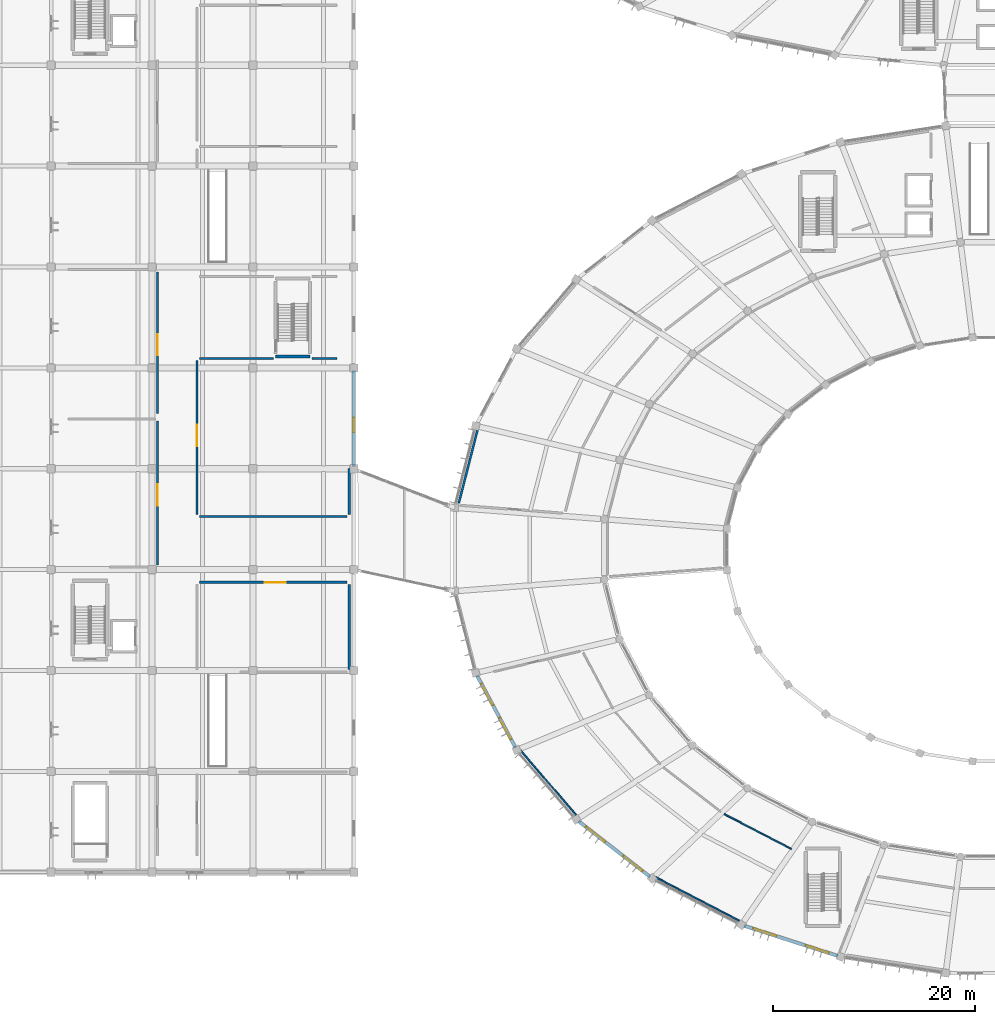
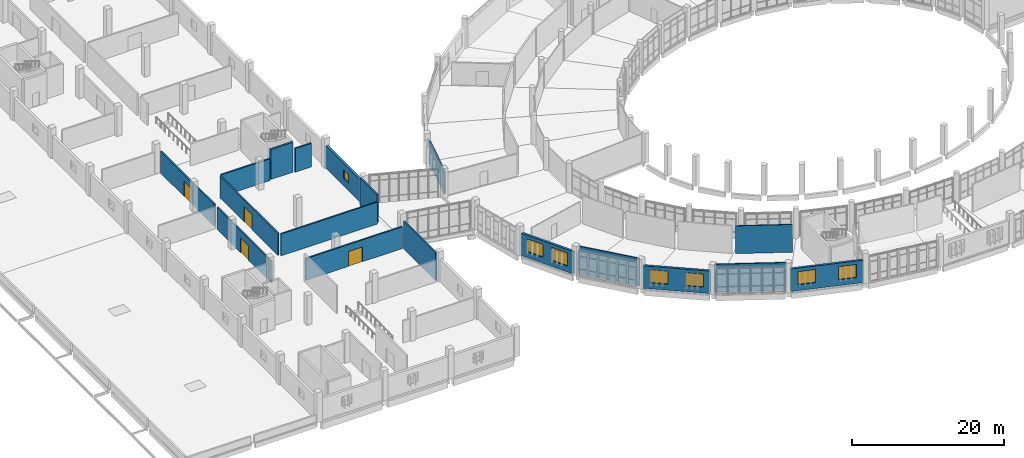
# One storey, part 115 of 179: 18 walls, 7 windows, 4 doors, 11 openings.
"""IFC4 building model written with IfcOpenShell, lengths in metres."""

from ifc_helpers import new_model, si_unit, direction, frame, frame_2d, origin, place, context, subcontext, project, spatial, rectangle, extrude, material, layer, layer_set, type_object, element, fill, save


model = new_model("IFC4")

# Units and contexts
model_context = context("Model", 3, precision=1e-05, world=origin(), true_north=direction((0.0, 1.0)))
body_context = subcontext(model_context, "Body", "Model", "MODEL_VIEW")
ifc_project = project(units=[si_unit("LENGTHUNIT", "METRE"), si_unit("AREAUNIT", "SQUARE_METRE"), si_unit("VOLUMEUNIT", "CUBIC_METRE"), si_unit("PLANEANGLEUNIT", "RADIAN"), si_unit("MASSUNIT", "GRAM", prefix="KILO")], contexts=[model_context])

# Site, building, storey
site_placement = place(None, origin())
site = spatial("IfcSite", under=ifc_project, at=site_placement, CompositionType="ELEMENT")
building_placement = place(site_placement, origin())
building = spatial("IfcBuilding", under=site, at=building_placement, Name="Corvandel Quay Wholesale Market", CompositionType="ELEMENT")
storey_placement = place(building_placement, frame((0.0, 0.0, 6.0)))
storey = spatial("IfcBuildingStorey", under=building, at=storey_placement, Name="L01", CompositionType="ELEMENT", Elevation=6.0)

# Walls
ifc_material_1 = material(Name="Gypsum-clad steel stud framing", Category="steel")
ifc_layer_1 = layer(ifc_material_1, 0.2099609375)
ifc_layer_set_1 = layer_set([ifc_layer_1], Name="Gypsum-clad steel stud framing")
wall_type_1 = type_object("IfcWallType", Name="Corridor Rated Partition PT02 210", PredefinedType="PARTITIONING", material=ifc_layer_set_1)
wall_1_placement = place(storey_placement, frame((60.408447265625, 46.60400390625, 0.0), z_axis=(0.0, 0.0, 1.0), x_axis=(0.247762128405, 0.968820895588, 0.0)))
element("IfcWall", 1, at=wall_1_placement, inside=storey, type_object=wall_type_1, Name="Interior Wall IW-0460", PredefinedType="PARTITIONING", context=body_context, shape_type="SweptSolid", body=[
    extrude(rectangle(XDim=7.567626953125, YDim=0.2099609375, at=frame_2d((3.78369140625, 0.0))), origin(), (0.0, 0.0, 1.0), 3.610107421875),
])
ifc_material_2 = material(Name="Double-layer acoustic gypsum stud partition")
ifc_layer_2 = layer(ifc_material_2, 0.139892578125)
ifc_layer_set_2 = layer_set([ifc_layer_2], Name="Double-layer acoustic gypsum stud partition")
wall_type_2 = type_object("IfcWallType", Name="Office Acoustic Partition PT07 140", PredefinedType="PARTITIONING", material=ifc_layer_set_2)
wall_2_placement = place(storey_placement, frame((88.333740234375, 5.140380859375, 0.0), z_axis=(0.0, 0.0, 1.0), x_axis=(-0.887294814005, 0.461202681084, 0.0)))
element("IfcWall", 2, at=wall_2_placement, inside=storey, type_object=wall_type_2, Name="Interior Wall IW-0466", PredefinedType="PARTITIONING", context=body_context, shape_type="SweptSolid", body=[
    extrude(rectangle(XDim=9.4775390625, YDim=0.139892578125, at=frame_2d((4.73876953125, 0.0))), origin(), (0.0, 0.0, 1.0), 4.4599609375),
])
wall_3_placement = place(storey_placement, frame((72.105712890625, 15.597900390625, 0.0), z_axis=(0.0, 0.0, 1.0), x_axis=(-0.651588761732, 0.758572399699, 0.0)))
element("IfcWall", 3, at=wall_3_placement, inside=storey, type_object=wall_type_2, Name="Interior Wall IW-0467", PredefinedType="PARTITIONING", context=body_context, shape_type="SweptSolid", body=[
    extrude(rectangle(XDim=8.569091796875, YDim=0.139892578125, at=frame_2d((4.28466796875, 0.0))), origin(), (0.0, 0.0, 1.0), 4.4599609375),
])
wall_4_placement = place(storey_placement, frame((86.72314453125, 15.7666015625, 0.0), z_axis=(0.0, 0.0, 1.0), x_axis=(0.887262118728, -0.461265577158, 0.0)))
element("IfcWall", 4, at=wall_4_placement, inside=storey, type_object=wall_type_2, Name="Interior Wall IW-0472", PredefinedType="PARTITIONING", context=body_context, shape_type="SweptSolid", body=[
    extrude(rectangle(XDim=7.496826171875, YDim=0.139892578125, at=frame_2d((3.74853515625, 0.0))), origin(), (0.0, 0.0, 1.0), 4.4599609375),
])

# Wall, opening, window
ifc_material_3 = material(Name="Insulated precast concrete C45/55", Category="concrete")
ifc_layer_3 = layer(ifc_material_3, 0.360107421875)
ifc_layer_set_3 = layer_set([ifc_layer_3], Name="Insulated precast concrete C45/55")
wall_type_3 = type_object("IfcWallType", Name="Ripening Gas-Tight Envelope Wall EW04 360", PredefinedType="SOLIDWALL", material=ifc_layer_set_3)
wall_5_placement = place(storey_placement, frame((50.0, 50.239990234375, 0.0), z_axis=(0.0, 0.0, 1.0), x_axis=(0.0, 1.0, 0.0)))
wall_5 = element("IfcWall", 5, at=wall_5_placement, inside=storey, type_object=wall_type_3, Name="Exterior Wall EW-0252", PredefinedType="SOLIDWALL", context=body_context, shape_type="SweptSolid", body=[
    extrude(rectangle(XDim=9.52001953125, YDim=0.360107421875, at=frame_2d((4.760009765625, 0.0))), origin(), (0.0, 0.0, 1.0), 3.610107421875),
])
opening_1_placement = place(wall_5_placement, frame((3.39990234375, 0.0, 1.199951171875)))
opening_1 = element("IfcOpeningElement", 6, at=opening_1_placement, cuts=wall_5, Name="Opening L01-W059", PredefinedType="OPENING", context=body_context, shape_type="SweptSolid", body=[
    extrude(rectangle(XDim=1.39990234375, YDim=1.35009765625, at=frame_2d((0.699951171875, 0.675048828125))), frame((0.0, 0.18994140625, 0.0), z_axis=(0.0, -1.0, 0.0), x_axis=(1.0, 0.0, 0.0)), (0.0, 0.0, 1.0), 0.380126953125),
])
ifc_material_4 = material(Name="Thermally broken bronze anodised aluminium and solar-control low-E double glazing", Category="aluminium")
window_type_1 = type_object("IfcWindowType", Name="Ripening Control Vision Window WN15 1400x1350", PartitioningType="SINGLE_PANEL", PredefinedType="WINDOW", material=ifc_material_4)
window_1_placement = place(opening_1_placement, origin())
window_1 = element("IfcWindow", 7, at=window_1_placement, inside=storey, type_object=window_type_1, Name="Window L01-W059", OverallHeight=1.35009765625, OverallWidth=1.39990234375, PartitioningType="SINGLE_PANEL", PredefinedType="WINDOW", context=body_context, shape_type="SweptSolid", body=[
    extrude(rectangle(XDim=1.39990234375, YDim=1.35009765625, at=frame_2d((0.699951171875, 0.675048828125))), frame((0.0, 0.030029296875, 0.0), z_axis=(0.0, -1.0, 0.0), x_axis=(1.0, 0.0, 0.0)), (0.0, 0.0, 1.0), 0.06005859375),
])
fill(opening_1, window_1)

# Wall, opening, door
ifc_material_5 = material(Name="Gas-tight stainless insulated panel")
ifc_layer_4 = layer(ifc_material_5, 0.219970703125)
ifc_layer_set_4 = layer_set([ifc_layer_4], Name="Gas-tight stainless insulated panel")
wall_type_4 = type_object("IfcWallType", Name="Ripening Gas-Tight Partition PT04 220", PredefinedType="PARTITIONING", material=ifc_layer_set_4)
wall_6_placement = place(storey_placement, frame((30.5400390625, 54.719970703125, 0.0), z_axis=(0.0, 0.0, 1.0), x_axis=(0.0, -1.0, 0.0)))
wall_6 = element("IfcWall", 8, at=wall_6_placement, inside=storey, type_object=wall_type_4, Name="Interior Wall IW-0798", PredefinedType="PARTITIONING", context=body_context, shape_type="SweptSolid", body=[
    extrude(rectangle(XDim=14.239990234375, YDim=0.219970703125, at=frame_2d((7.1201171875, 0.0))), origin(), (0.0, 0.0, 1.0), 3.510009765625),
])
opening_2_placement = place(wall_6_placement, frame((6.27001953125, 0.0, 0.0)))
opening_2 = element("IfcOpeningElement", 9, at=opening_2_placement, cuts=wall_6, Name="Opening L01-D053", PredefinedType="OPENING", context=body_context, shape_type="SweptSolid", body=[
    extrude(rectangle(XDim=2.10009765625, YDim=2.39990234375, at=frame_2d((1.050048828125, 1.199951171875))), frame((0.0, 0.119873046875, 0.0), z_axis=(0.0, -1.0, 0.0), x_axis=(1.0, 0.0, 0.0)), (0.0, 0.0, 1.0), 0.239990234375),
])
ifc_material_6 = material(Name="Gas-tight stainless insulated leaf")
door_type = type_object("IfcDoorType", Name="Ripening Gas-Tight Door ID07 2100x2400", OperationType="DOUBLE_DOOR_SLIDING", PredefinedType="DOOR", material=ifc_material_6)
door_1_placement = place(opening_2_placement, origin())
door_1 = element("IfcDoor", 10, at=door_1_placement, inside=storey, type_object=door_type, Name="Pressurized Fruit Ripening Room 02 Door", OperationType="DOUBLE_DOOR_SLIDING", OverallHeight=2.39990234375, OverallWidth=2.10009765625, PredefinedType="DOOR", context=body_context, shape_type="SweptSolid", body=[
    extrude(rectangle(XDim=2.10009765625, YDim=2.39990234375, at=frame_2d((1.050048828125, 1.199951171875))), frame((0.0, 0.02490234375, 0.0), z_axis=(0.0, -1.0, 0.0), x_axis=(1.0, 0.0, 0.0)), (0.0, 0.0, 1.0), 0.050048828125),
])
fill(opening_2, door_1)

wall_7_placement = place(storey_placement, frame((30.5400390625, 69.52001953125, 0.0), z_axis=(0.0, 0.0, 1.0), x_axis=(0.0, -1.0, 0.0)))
wall_7 = element("IfcWall", 11, at=wall_7_placement, inside=storey, type_object=wall_type_4, Name="Interior Wall IW-0801", PredefinedType="PARTITIONING", context=body_context, shape_type="SweptSolid", body=[
    extrude(rectangle(XDim=14.0400390625, YDim=0.219970703125, at=frame_2d((7.02001953125, 0.0))), origin(), (0.0, 0.0, 1.0), 3.510009765625),
])
opening_3_placement = place(wall_7_placement, frame((6.169921875, 0.0, 0.0)))
opening_3 = element("IfcOpeningElement", 12, at=opening_3_placement, cuts=wall_7, Name="Opening L01-D054", PredefinedType="OPENING", context=body_context, shape_type="SweptSolid", body=[
    extrude(rectangle(XDim=2.10009765625, YDim=2.39990234375, at=frame_2d((1.050048828125, 1.199951171875))), frame((0.0, 0.119873046875, 0.0), z_axis=(0.0, -1.0, 0.0), x_axis=(1.0, 0.0, 0.0)), (0.0, 0.0, 1.0), 0.239990234375),
])
door_2_placement = place(opening_3_placement, origin())
door_2 = element("IfcDoor", 13, at=door_2_placement, inside=storey, type_object=door_type, Name="Pressurized Fruit Ripening Room 03 Door", OperationType="DOUBLE_DOOR_SLIDING", OverallHeight=2.39990234375, OverallWidth=2.10009765625, PredefinedType="DOOR", context=body_context, shape_type="SweptSolid", body=[
    extrude(rectangle(XDim=2.10009765625, YDim=2.39990234375, at=frame_2d((1.050048828125, 1.199951171875))), frame((0.0, 0.02490234375, 0.0), z_axis=(0.0, -1.0, 0.0), x_axis=(1.0, 0.0, 0.0)), (0.0, 0.0, 1.0), 0.050048828125),
])
fill(opening_3, door_2)

wall_8_placement = place(storey_placement, frame((34.679931640625, 38.739990234375, 0.0), z_axis=(0.0, 0.0, 1.0), x_axis=(1.0, 0.0, 0.0)))
wall_8 = element("IfcWall", 14, at=wall_8_placement, inside=storey, type_object=wall_type_4, Name="Interior Wall IW-0812", PredefinedType="PARTITIONING", context=body_context, shape_type="SweptSolid", body=[
    extrude(rectangle(XDim=14.64013671875, YDim=0.219970703125, at=frame_2d((7.320068359375, 0.0))), origin(), (0.0, 0.0, 1.0), 3.510009765625),
])
opening_4_placement = place(wall_8_placement, frame((6.469970703125, 0.0, 0.0)))
opening_4 = element("IfcOpeningElement", 15, at=opening_4_placement, cuts=wall_8, Name="Opening L01-D059", PredefinedType="OPENING", context=body_context, shape_type="SweptSolid", body=[
    extrude(rectangle(XDim=2.10009765625, YDim=2.39990234375, at=frame_2d((1.050048828125, 1.199951171875))), frame((0.0, 0.119873046875, 0.0), z_axis=(0.0, -1.0, 0.0), x_axis=(1.0, 0.0, 0.0)), (0.0, 0.0, 1.0), 0.239990234375),
])
door_3_placement = place(opening_4_placement, origin())
door_3 = element("IfcDoor", 16, at=door_3_placement, inside=storey, type_object=door_type, Name="Pressurized Fruit Ripening Room 08 Door", OperationType="DOUBLE_DOOR_SLIDING", OverallHeight=2.39990234375, OverallWidth=2.10009765625, PredefinedType="DOOR", context=body_context, shape_type="SweptSolid", body=[
    extrude(rectangle(XDim=2.10009765625, YDim=2.39990234375, at=frame_2d((1.050048828125, 1.199951171875))), frame((0.0, 0.02490234375, 0.0), z_axis=(0.0, -1.0, 0.0), x_axis=(1.0, 0.0, 0.0)), (0.0, 0.0, 1.0), 0.050048828125),
])
fill(opening_4, door_3)

# Wall
wall_9_placement = place(storey_placement, frame((49.5400390625, 38.52001953125, 0.0), z_axis=(0.0, 0.0, 1.0), x_axis=(0.0, -1.0, 0.0)))
element("IfcWall", 17, at=wall_9_placement, inside=storey, type_object=wall_type_4, Name="Interior Wall IW-0813", PredefinedType="PARTITIONING", context=body_context, shape_type="SweptSolid", body=[
    extrude(rectangle(XDim=8.43994140625, YDim=0.219970703125, at=frame_2d((4.219970703125, 0.0))), origin(), (0.0, 0.0, 1.0), 4.4599609375),
])

# Wall, opening, door
wall_10_placement = place(storey_placement, frame((34.4599609375, 45.47998046875, 0.0), z_axis=(0.0, 0.0, 1.0), x_axis=(0.0, 1.0, 0.0)))
wall_10 = element("IfcWall", 18, at=wall_10_placement, inside=storey, type_object=wall_type_4, Name="Interior Wall IW-0815", PredefinedType="PARTITIONING", context=body_context, shape_type="SweptSolid", body=[
    extrude(rectangle(XDim=15.239990234375, YDim=0.219970703125, at=frame_2d((7.6201171875, 0.0))), origin(), (0.0, 0.0, 1.0), 3.510009765625),
])
opening_5_placement = place(wall_10_placement, frame((6.77001953125, 0.0, 0.0)))
opening_5 = element("IfcOpeningElement", 19, at=opening_5_placement, cuts=wall_10, Name="Opening L01-D060", PredefinedType="OPENING", context=body_context, shape_type="SweptSolid", body=[
    extrude(rectangle(XDim=2.10009765625, YDim=2.39990234375, at=frame_2d((1.050048828125, 1.199951171875))), frame((0.0, 0.119873046875, 0.0), z_axis=(0.0, -1.0, 0.0), x_axis=(1.0, 0.0, 0.0)), (0.0, 0.0, 1.0), 0.239990234375),
])
door_4_placement = place(opening_5_placement, origin())
door_4 = element("IfcDoor", 20, at=door_4_placement, inside=storey, type_object=door_type, Name="Pressurized Fruit Ripening Room 09 Door", OperationType="DOUBLE_DOOR_SLIDING", OverallHeight=2.39990234375, OverallWidth=2.10009765625, PredefinedType="DOOR", context=body_context, shape_type="SweptSolid", body=[
    extrude(rectangle(XDim=2.10009765625, YDim=2.39990234375, at=frame_2d((1.050048828125, 1.199951171875))), frame((0.0, 0.02490234375, 0.0), z_axis=(0.0, -1.0, 0.0), x_axis=(1.0, 0.0, 0.0)), (0.0, 0.0, 1.0), 0.050048828125),
])
fill(opening_5, door_4)

# Walls
wall_11_placement = place(storey_placement, frame((34.679931640625, 60.93994140625, 0.0), z_axis=(0.0, 0.0, 1.0), x_axis=(1.0, 0.0, 0.0)))
element("IfcWall", 21, at=wall_11_placement, inside=storey, type_object=wall_type_4, Name="Interior Wall IW-0816", PredefinedType="PARTITIONING", context=body_context, shape_type="SweptSolid", body=[
    extrude(rectangle(XDim=7.35009765625, YDim=0.219970703125, at=frame_2d((3.675048828125, 0.0))), origin(), (0.0, 0.0, 1.0), 3.510009765625),
])
wall_12_placement = place(storey_placement, frame((45.8701171875, 60.93994140625, 0.0), z_axis=(0.0, 0.0, 1.0), x_axis=(1.0, 0.0, 0.0)))
element("IfcWall", 22, at=wall_12_placement, inside=storey, type_object=wall_type_4, Name="Interior Wall IW-0817", PredefinedType="PARTITIONING", context=body_context, shape_type="SweptSolid", body=[
    extrude(rectangle(XDim=2.4599609375, YDim=0.219970703125, at=frame_2d((1.22998046875, 0.0))), origin(), (0.0, 0.0, 1.0), 3.81005859375),
])
wall_13_placement = place(storey_placement, frame((49.5400390625, 50.02001953125, 0.0), z_axis=(0.0, 0.0, 1.0), x_axis=(0.0, -1.0, 0.0)))
element("IfcWall", 23, at=wall_13_placement, inside=storey, type_object=wall_type_4, Name="Interior Wall IW-0818", PredefinedType="PARTITIONING", context=body_context, shape_type="SweptSolid", body=[
    extrude(rectangle(XDim=4.5400390625, YDim=0.219970703125, at=frame_2d((2.27001953125, 0.0))), origin(), (0.0, 0.0, 1.0), 4.4599609375),
])
wall_14_placement = place(storey_placement, frame((49.320068359375, 45.260009765625, 0.0), z_axis=(0.0, 0.0, 1.0), x_axis=(-1.0, 0.0, 0.0)))
element("IfcWall", 24, at=wall_14_placement, inside=storey, type_object=wall_type_4, Name="Interior Wall IW-0819", PredefinedType="PARTITIONING", context=body_context, shape_type="SweptSolid", body=[
    extrude(rectangle(XDim=14.64013671875, YDim=0.219970703125, at=frame_2d((7.320068359375, 0.0))), origin(), (0.0, 0.0, 1.0), 3.510009765625),
])

# Wall, openings, windows
ifc_material_7 = material(Name="Buff-pigmented precast concrete C45/55", Category="concrete")
ifc_layer_5 = layer(ifc_material_7, 0.320068359375)
ifc_layer_set_5 = layer_set([ifc_layer_5], Name="Buff-pigmented precast concrete C45/55")
wall_type_5 = type_object("IfcWallType", Name="Sandstone Buff Precast Wall EW02 320", PredefinedType="SOLIDWALL", material=ifc_layer_set_5)
wall_15_placement = place(storey_placement, frame((62.201904296875, 29.5107421875, 0.0), z_axis=(0.0, 0.0, 1.0), x_axis=(0.47010905891, -0.882608334841, 0.0)))
wall_15 = element("IfcWall", 25, at=wall_15_placement, inside=storey, type_object=wall_type_5, Name="Exterior Wall EW-0048", PredefinedType="SOLIDWALL", context=body_context, shape_type="SweptSolid", body=[
    extrude(rectangle(XDim=8.11962890625, YDim=0.320068359375, at=frame_2d((4.059814453125, 0.0))), origin(), (0.0, 0.0, 1.0), 3.610107421875),
])
opening_6_placement = place(wall_15_placement, frame((0.949951171875, 0.0, 0.949951171875)))
opening_6 = element("IfcOpeningElement", 26, at=opening_6_placement, cuts=wall_15, Name="Opening L01-W013", PredefinedType="OPENING", context=body_context, shape_type="SweptSolid", body=[
    extrude(rectangle(XDim=2.39990234375, YDim=2.10009765625, at=frame_2d((1.199951171875, 1.050048828125))), frame((0.0, 0.169921875, 0.0), z_axis=(0.0, -1.0, 0.0), x_axis=(1.0, 0.0, 0.0)), (0.0, 0.0, 1.0), 0.340087890625),
])
opening_7_placement = place(wall_15_placement, frame((4.77001953125, 0.0, 0.949951171875)))
opening_7 = element("IfcOpeningElement", 27, at=opening_7_placement, cuts=wall_15, Name="Opening L01-W014", PredefinedType="OPENING", context=body_context, shape_type="SweptSolid", body=[
    extrude(rectangle(XDim=2.39990234375, YDim=2.10009765625, at=frame_2d((1.199951171875, 1.050048828125))), frame((0.0, 0.169921875, 0.0), z_axis=(0.0, -1.0, 0.0), x_axis=(1.0, 0.0, 0.0)), (0.0, 0.0, 1.0), 0.340087890625),
])
window_type_2 = type_object("IfcWindowType", Name="Produce Gallery Punched Window WN02 2400x2100", PartitioningType="SINGLE_PANEL", PredefinedType="WINDOW", material=ifc_material_4)
window_2_placement = place(opening_6_placement, origin())
window_2 = element("IfcWindow", 28, at=window_2_placement, inside=storey, type_object=window_type_2, Name="Window L01-W013", OverallHeight=2.10009765625, OverallWidth=2.39990234375, PartitioningType="SINGLE_PANEL", PredefinedType="WINDOW", context=body_context, shape_type="SweptSolid", body=[
    extrude(rectangle(XDim=2.39990234375, YDim=2.10009765625, at=frame_2d((1.199951171875, 1.050048828125))), frame((0.0, 0.030029296875, 0.0), z_axis=(0.0, -1.0, 0.0), x_axis=(1.0, 0.0, 0.0)), (0.0, 0.0, 1.0), 0.06005859375),
])
fill(opening_6, window_2)
window_3_placement = place(opening_7_placement, origin())
window_3 = element("IfcWindow", 29, at=window_3_placement, inside=storey, type_object=window_type_2, Name="Window L01-W014", OverallHeight=2.10009765625, OverallWidth=2.39990234375, PartitioningType="SINGLE_PANEL", PredefinedType="WINDOW", context=body_context, shape_type="SweptSolid", body=[
    extrude(rectangle(XDim=2.39990234375, YDim=2.10009765625, at=frame_2d((1.199951171875, 1.050048828125))), frame((0.0, 0.030029296875, 0.0), z_axis=(0.0, -1.0, 0.0), x_axis=(1.0, 0.0, 0.0)), (0.0, 0.0, 1.0), 0.06005859375),
])
fill(opening_7, window_3)

wall_16_placement = place(storey_placement, frame((72.26806640625, 15.061279296875, 0.0), z_axis=(0.0, 0.0, 1.0), x_axis=(0.789327357341, -0.613972575082, 0.0)))
wall_16 = element("IfcWall", 30, at=wall_16_placement, inside=storey, type_object=wall_type_5, Name="Exterior Wall EW-0053", PredefinedType="SOLIDWALL", context=body_context, shape_type="SweptSolid", body=[
    extrude(rectangle(XDim=8.98974609375, YDim=0.320068359375, at=frame_2d((4.494873046875, 0.0))), origin(), (0.0, 0.0, 1.0), 3.610107421875),
])
opening_8_placement = place(wall_16_placement, frame((0.949951171875, 0.0, 0.949951171875)))
opening_8 = element("IfcOpeningElement", 31, at=opening_8_placement, cuts=wall_16, Name="Opening L01-W015", PredefinedType="OPENING", context=body_context, shape_type="SweptSolid", body=[
    extrude(rectangle(XDim=2.39990234375, YDim=2.10009765625, at=frame_2d((1.199951171875, 1.050048828125))), frame((0.0, 0.169921875, 0.0), z_axis=(0.0, -1.0, 0.0), x_axis=(1.0, 0.0, 0.0)), (0.0, 0.0, 1.0), 0.340087890625),
])
opening_9_placement = place(wall_16_placement, frame((5.639892578125, 0.0, 0.949951171875)))
opening_9 = element("IfcOpeningElement", 32, at=opening_9_placement, cuts=wall_16, Name="Opening L01-W016", PredefinedType="OPENING", context=body_context, shape_type="SweptSolid", body=[
    extrude(rectangle(XDim=2.39990234375, YDim=2.10009765625, at=frame_2d((1.199951171875, 1.050048828125))), frame((0.0, 0.169921875, 0.0), z_axis=(0.0, -1.0, 0.0), x_axis=(1.0, 0.0, 0.0)), (0.0, 0.0, 1.0), 0.340087890625),
])
window_4_placement = place(opening_8_placement, origin())
window_4 = element("IfcWindow", 33, at=window_4_placement, inside=storey, type_object=window_type_2, Name="Window L01-W015", OverallHeight=2.10009765625, OverallWidth=2.39990234375, PartitioningType="SINGLE_PANEL", PredefinedType="WINDOW", context=body_context, shape_type="SweptSolid", body=[
    extrude(rectangle(XDim=2.39990234375, YDim=2.10009765625, at=frame_2d((1.199951171875, 1.050048828125))), frame((0.0, 0.030029296875, 0.0), z_axis=(0.0, -1.0, 0.0), x_axis=(1.0, 0.0, 0.0)), (0.0, 0.0, 1.0), 0.06005859375),
])
fill(opening_8, window_4)
window_5_placement = place(opening_9_placement, origin())
window_5 = element("IfcWindow", 34, at=window_5_placement, inside=storey, type_object=window_type_2, Name="Window L01-W016", OverallHeight=2.10009765625, OverallWidth=2.39990234375, PartitioningType="SINGLE_PANEL", PredefinedType="WINDOW", context=body_context, shape_type="SweptSolid", body=[
    extrude(rectangle(XDim=2.39990234375, YDim=2.10009765625, at=frame_2d((1.199951171875, 1.050048828125))), frame((0.0, 0.030029296875, 0.0), z_axis=(0.0, -1.0, 0.0), x_axis=(1.0, 0.0, 0.0)), (0.0, 0.0, 1.0), 0.06005859375),
])
fill(opening_9, window_5)

wall_17_placement = place(storey_placement, frame((88.677978515625, 4.697265625, 0.0), z_axis=(0.0, 0.0, 1.0), x_axis=(0.95182847269, -0.30663098111, 0.0)))
wall_17 = element("IfcWall", 35, at=wall_17_placement, inside=storey, type_object=wall_type_5, Name="Exterior Wall EW-0060", PredefinedType="SOLIDWALL", context=body_context, shape_type="SweptSolid", body=[
    extrude(rectangle(XDim=9.785400390625, YDim=0.320068359375, at=frame_2d((4.892578125, 0.0))), origin(), (0.0, 0.0, 1.0), 3.610107421875),
])
opening_10_placement = place(wall_17_placement, frame((0.949951171875, 0.0, 0.949951171875)))
opening_10 = element("IfcOpeningElement", 36, at=opening_10_placement, cuts=wall_17, Name="Opening L01-W017", PredefinedType="OPENING", context=body_context, shape_type="SweptSolid", body=[
    extrude(rectangle(XDim=2.39990234375, YDim=2.10009765625, at=frame_2d((1.199951171875, 1.050048828125))), frame((0.0, 0.169921875, 0.0), z_axis=(0.0, -1.0, 0.0), x_axis=(1.0, 0.0, 0.0)), (0.0, 0.0, 1.0), 0.340087890625),
])
opening_11_placement = place(wall_17_placement, frame((6.43505859375, 0.0, 0.949951171875)))
opening_11 = element("IfcOpeningElement", 37, at=opening_11_placement, cuts=wall_17, Name="Opening L01-W018", PredefinedType="OPENING", context=body_context, shape_type="SweptSolid", body=[
    extrude(rectangle(XDim=2.39990234375, YDim=2.10009765625, at=frame_2d((1.199951171875, 1.050048828125))), frame((0.0, 0.169921875, 0.0), z_axis=(0.0, -1.0, 0.0), x_axis=(1.0, 0.0, 0.0)), (0.0, 0.0, 1.0), 0.340087890625),
])
window_6_placement = place(opening_10_placement, origin())
window_6 = element("IfcWindow", 38, at=window_6_placement, inside=storey, type_object=window_type_2, Name="Window L01-W017", OverallHeight=2.10009765625, OverallWidth=2.39990234375, PartitioningType="SINGLE_PANEL", PredefinedType="WINDOW", context=body_context, shape_type="SweptSolid", body=[
    extrude(rectangle(XDim=2.39990234375, YDim=2.10009765625, at=frame_2d((1.199951171875, 1.050048828125))), frame((0.0, 0.030029296875, 0.0), z_axis=(0.0, -1.0, 0.0), x_axis=(1.0, 0.0, 0.0)), (0.0, 0.0, 1.0), 0.06005859375),
])
fill(opening_10, window_6)
window_7_placement = place(opening_11_placement, origin())
window_7 = element("IfcWindow", 39, at=window_7_placement, inside=storey, type_object=window_type_2, Name="Window L01-W018", OverallHeight=2.10009765625, OverallWidth=2.39990234375, PartitioningType="SINGLE_PANEL", PredefinedType="WINDOW", context=body_context, shape_type="SweptSolid", body=[
    extrude(rectangle(XDim=2.39990234375, YDim=2.10009765625, at=frame_2d((1.199951171875, 1.050048828125))), frame((0.0, 0.030029296875, 0.0), z_axis=(0.0, -1.0, 0.0), x_axis=(1.0, 0.0, 0.0)), (0.0, 0.0, 1.0), 0.06005859375),
])
fill(opening_11, window_7)

# Wall
ifc_material_8 = material(Name="Concrete C40/50", Category="concrete")
ifc_layer_6 = layer(ifc_material_8, 0.300048828125)
ifc_layer_set_6 = layer_set([ifc_layer_6], Name="Concrete C40/50")
wall_type_6 = type_object("IfcWallType", Name="Stair Shaft Shear Wall SW02 300", PredefinedType="SHEAR", material=ifc_layer_set_6)
wall_18_placement = place(storey_placement, frame((42.25, 61.14990234375, 0.0), z_axis=(0.0, 0.0, 1.0), x_axis=(1.0, 0.0, 0.0)))
element("IfcWall", 40, at=wall_18_placement, inside=storey, type_object=wall_type_6, Name="Shear Wall IW-0137", PredefinedType="SHEAR", context=body_context, shape_type="SweptSolid", body=[
    extrude(rectangle(XDim=3.39990234375, YDim=0.300048828125, at=frame_2d((1.699951171875, 0.0))), origin(), (0.0, 0.0, 1.0), 4.800048828125),
])

save(model, "model.ifc")
